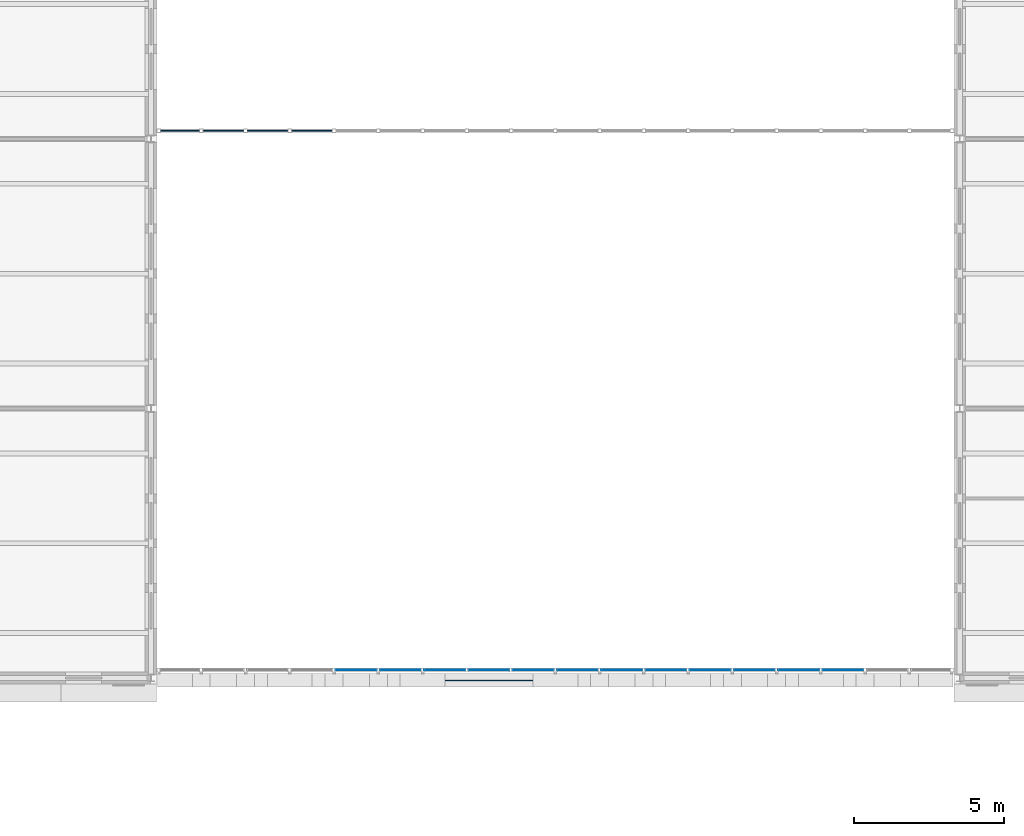
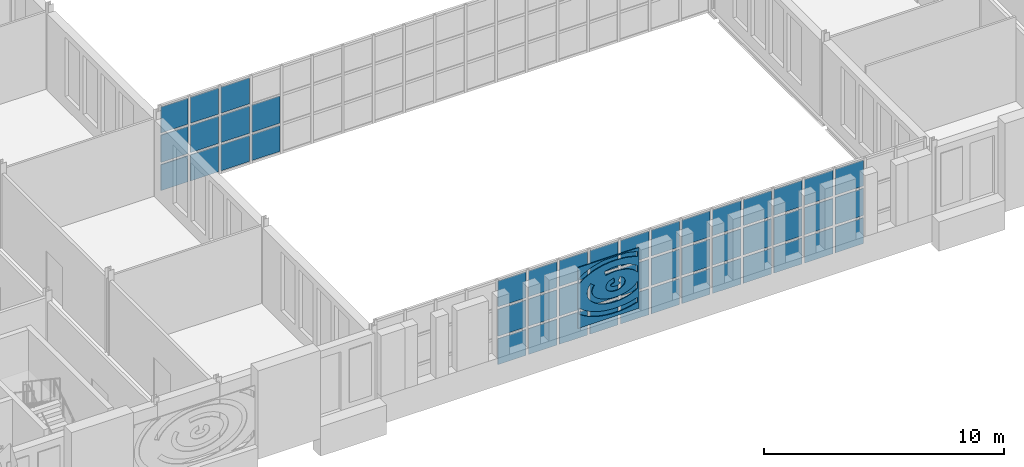
# One storey, part 61 of 131: 48 plates, 2 elements without a shape of their own.
"""IFC4 building model written with IfcOpenShell, lengths in metres."""

from ifc_helpers import new_model, si_unit, direction, frame, origin, origin_2d, place, context, subcontext, project, spatial, polyline, rectangle, outline, extrude, material, layer, layer_set, type_object, element, aggregate, save


model = new_model("IFC4")

# Units and contexts
model_context = context("Model", 3, precision=1e-05, world=origin(), true_north=direction((0.0, 1.0)))
body_context = subcontext(model_context, "Body", "Model", "MODEL_VIEW")
ifc_project = project(units=[si_unit("LENGTHUNIT", "METRE"), si_unit("AREAUNIT", "SQUARE_METRE"), si_unit("VOLUMEUNIT", "CUBIC_METRE"), si_unit("PLANEANGLEUNIT", "RADIAN"), si_unit("MASSUNIT", "GRAM", prefix="KILO")], contexts=[model_context])

# Site, building, storey
site_placement = place(None, origin())
site = spatial("IfcSite", under=ifc_project, at=site_placement, CompositionType="ELEMENT")
building_placement = place(site_placement, origin())
building = spatial("IfcBuilding", under=site, at=building_placement, Name="Golden Quay Civic Hall", CompositionType="ELEMENT")
storey_placement = place(building_placement, frame((0.0, 0.0, 9.89990234375)))
storey = spatial("IfcBuildingStorey", under=building, at=storey_placement, Name="L02", CompositionType="ELEMENT", Elevation=9.89990234375)

# Curtain wall, plates
ifc_material_1 = material(Name="Fire-resisting glass and steel", Category="steel")
curtain_wall_type_1 = type_object("IfcCurtainWallType", Name="Fire-resisting glazed curtain wall EI 120", PredefinedType="NOTDEFINED", material=ifc_material_1)
curtain_wall_1_placement = place(storey_placement, origin())
curtain_wall_1 = element("IfcCurtainWall", 1, at=curtain_wall_1_placement, inside=storey, type_object=curtain_wall_type_1, Name="CW3 curtain wall", PredefinedType="NOTDEFINED")
ifc_material_2 = material(Name="Fire-resisting laminated glass", Category="glass")
ifc_layer_1 = layer(ifc_material_2, 0.0400390625)
ifc_layer_set_1 = layer_set([ifc_layer_1], Name="Fire-resisting glazed panel 40")
plate_type_1 = type_object("IfcPlateType", Name="Fire-resisting glazed panel 40", PredefinedType="CURTAIN_PANEL", material=ifc_layer_set_1)
plate_1_placement = place(storey_placement, frame((72.968994140625, 18.27001953125, -0.080078125), z_axis=(0.0, 0.0, 1.0), x_axis=(1.0, 0.0, 0.0)))
plate_1 = element("IfcPlate", 2, at=plate_1_placement, type_object=plate_type_1, Name="CW3 panel 1.1", PredefinedType="CURTAIN_PANEL", context=body_context, shape_type="SweptSolid", body=[
    extrude(rectangle(XDim=1.2978515625, YDim=0.0400390625, at=origin_2d()), origin(), (0.0, 0.0, 1.0), 1.320068359375),
])
plate_2_placement = place(storey_placement, frame((72.968994140625, 18.27001953125, 1.360107421875), z_axis=(0.0, 0.0, 1.0), x_axis=(1.0, 0.0, 0.0)))
plate_2 = element("IfcPlate", 3, at=plate_2_placement, type_object=plate_type_1, Name="CW3 panel 1.2", PredefinedType="CURTAIN_PANEL", context=body_context, shape_type="SweptSolid", body=[
    extrude(rectangle(XDim=1.2978515625, YDim=0.0400390625, at=origin_2d()), origin(), (0.0, 0.0, 1.0), 1.3798828125),
])
plate_3_placement = place(storey_placement, frame((72.968994140625, 18.27001953125, 2.85986328125), z_axis=(0.0, 0.0, 1.0), x_axis=(1.0, 0.0, 0.0)))
plate_3 = element("IfcPlate", 4, at=plate_3_placement, type_object=plate_type_1, Name="CW3 panel 1.3", PredefinedType="CURTAIN_PANEL", context=body_context, shape_type="SweptSolid", body=[
    extrude(rectangle(XDim=1.2978515625, YDim=0.0400390625, at=origin_2d()), origin(), (0.0, 0.0, 1.0), 1.320068359375),
])
plate_4_placement = place(storey_placement, frame((74.416748046875, 18.27001953125, -0.080078125), z_axis=(0.0, 0.0, 1.0), x_axis=(1.0, 0.0, 0.0)))
plate_4 = element("IfcPlate", 5, at=plate_4_placement, type_object=plate_type_1, Name="CW3 panel 2.1", PredefinedType="CURTAIN_PANEL", context=body_context, shape_type="SweptSolid", body=[
    extrude(rectangle(XDim=1.357666015625, YDim=0.0400390625, at=origin_2d()), origin(), (0.0, 0.0, 1.0), 1.320068359375),
])
plate_5_placement = place(storey_placement, frame((74.416748046875, 18.27001953125, 1.360107421875), z_axis=(0.0, 0.0, 1.0), x_axis=(1.0, 0.0, 0.0)))
plate_5 = element("IfcPlate", 6, at=plate_5_placement, type_object=plate_type_1, Name="CW3 panel 2.2", PredefinedType="CURTAIN_PANEL", context=body_context, shape_type="SweptSolid", body=[
    extrude(rectangle(XDim=1.357666015625, YDim=0.0400390625, at=origin_2d()), origin(), (0.0, 0.0, 1.0), 1.3798828125),
])
plate_6_placement = place(storey_placement, frame((74.416748046875, 18.27001953125, 2.85986328125), z_axis=(0.0, 0.0, 1.0), x_axis=(1.0, 0.0, 0.0)))
plate_6 = element("IfcPlate", 7, at=plate_6_placement, type_object=plate_type_1, Name="CW3 panel 2.3", PredefinedType="CURTAIN_PANEL", context=body_context, shape_type="SweptSolid", body=[
    extrude(rectangle(XDim=1.357666015625, YDim=0.0400390625, at=origin_2d()), origin(), (0.0, 0.0, 1.0), 1.320068359375),
])
plate_7_placement = place(storey_placement, frame((75.89453125, 18.27001953125, -0.080078125), z_axis=(0.0, 0.0, 1.0), x_axis=(1.0, 0.0, 0.0)))
plate_7 = element("IfcPlate", 8, at=plate_7_placement, type_object=plate_type_1, Name="CW3 panel 3.1", PredefinedType="CURTAIN_PANEL", context=body_context, shape_type="SweptSolid", body=[
    extrude(rectangle(XDim=1.357666015625, YDim=0.0400390625, at=origin_2d()), origin(), (0.0, 0.0, 1.0), 1.320068359375),
])
plate_8_placement = place(storey_placement, frame((75.89453125, 18.27001953125, 1.360107421875), z_axis=(0.0, 0.0, 1.0), x_axis=(1.0, 0.0, 0.0)))
plate_8 = element("IfcPlate", 9, at=plate_8_placement, type_object=plate_type_1, Name="CW3 panel 3.2", PredefinedType="CURTAIN_PANEL", context=body_context, shape_type="SweptSolid", body=[
    extrude(rectangle(XDim=1.357666015625, YDim=0.0400390625, at=origin_2d()), origin(), (0.0, 0.0, 1.0), 1.3798828125),
])
plate_9_placement = place(storey_placement, frame((75.89453125, 18.27001953125, 2.85986328125), z_axis=(0.0, 0.0, 1.0), x_axis=(1.0, 0.0, 0.0)))
plate_9 = element("IfcPlate", 10, at=plate_9_placement, type_object=plate_type_1, Name="CW3 panel 3.3", PredefinedType="CURTAIN_PANEL", context=body_context, shape_type="SweptSolid", body=[
    extrude(rectangle(XDim=1.357666015625, YDim=0.0400390625, at=origin_2d()), origin(), (0.0, 0.0, 1.0), 1.320068359375),
])
plate_10_placement = place(storey_placement, frame((77.372314453125, 18.27001953125, -0.080078125), z_axis=(0.0, 0.0, 1.0), x_axis=(1.0, 0.0, 0.0)))
plate_10 = element("IfcPlate", 11, at=plate_10_placement, type_object=plate_type_1, Name="CW3 panel 4.1", PredefinedType="CURTAIN_PANEL", context=body_context, shape_type="SweptSolid", body=[
    extrude(rectangle(XDim=1.357666015625, YDim=0.0400390625, at=origin_2d()), origin(), (0.0, 0.0, 1.0), 1.320068359375),
])
plate_11_placement = place(storey_placement, frame((77.372314453125, 18.27001953125, 1.360107421875), z_axis=(0.0, 0.0, 1.0), x_axis=(1.0, 0.0, 0.0)))
plate_11 = element("IfcPlate", 12, at=plate_11_placement, type_object=plate_type_1, Name="CW3 panel 4.2", PredefinedType="CURTAIN_PANEL", context=body_context, shape_type="SweptSolid", body=[
    extrude(rectangle(XDim=1.357666015625, YDim=0.0400390625, at=origin_2d()), origin(), (0.0, 0.0, 1.0), 1.3798828125),
])
aggregate(curtain_wall_1, [plate_1, plate_2, plate_3, plate_4, plate_5, plate_6, plate_7, plate_8, plate_9, plate_10, plate_11])

ifc_material_3 = material(Name="Glass and aluminium", Category="aluminium")
curtain_wall_type_2 = type_object("IfcCurtainWallType", Name="Glazed curtain wall 1500 module", PredefinedType="NOTDEFINED", material=ifc_material_3)
curtain_wall_2_placement = place(storey_placement, origin())
curtain_wall_2 = element("IfcCurtainWall", 13, at=curtain_wall_2_placement, inside=storey, type_object=curtain_wall_type_2, Name="CW1 curtain wall", PredefinedType="NOTDEFINED")
ifc_material_4 = material(Name="Laminated glass", Category="glass")
ifc_layer_2 = layer(ifc_material_4, 0.028076171875)
ifc_layer_set_2 = layer_set([ifc_layer_2], Name="Laminated glass panel 28")
plate_type_2 = type_object("IfcPlateType", Name="Laminated glass panel 28", PredefinedType="CURTAIN_PANEL", material=ifc_layer_set_2)
plate_12_placement = place(storey_placement, frame((78.85009765625, 0.27001953125, -0.080078125), z_axis=(0.0, 0.0, 1.0), x_axis=(1.0, 0.0, 0.0)))
plate_12 = element("IfcPlate", 14, at=plate_12_placement, type_object=plate_type_2, Name="CW1 panel 5.1", PredefinedType="CURTAIN_PANEL", context=body_context, shape_type="SweptSolid", body=[
    extrude(rectangle(XDim=1.357666015625, YDim=0.028076171875, at=origin_2d()), origin(), (0.0, 0.0, 1.0), 1.320068359375),
])
plate_13_placement = place(storey_placement, frame((78.85009765625, 0.27001953125, 1.360107421875), z_axis=(0.0, 0.0, 1.0), x_axis=(1.0, 0.0, 0.0)))
plate_13 = element("IfcPlate", 15, at=plate_13_placement, type_object=plate_type_2, Name="CW1 panel 5.2", PredefinedType="CURTAIN_PANEL", context=body_context, shape_type="SweptSolid", body=[
    extrude(rectangle(XDim=1.357666015625, YDim=0.028076171875, at=origin_2d()), origin(), (0.0, 0.0, 1.0), 1.3798828125),
])
plate_14_placement = place(storey_placement, frame((78.85009765625, 0.27001953125, 2.85986328125), z_axis=(0.0, 0.0, 1.0), x_axis=(1.0, 0.0, 0.0)))
plate_14 = element("IfcPlate", 16, at=plate_14_placement, type_object=plate_type_2, Name="CW1 panel 5.3", PredefinedType="CURTAIN_PANEL", context=body_context, shape_type="SweptSolid", body=[
    extrude(rectangle(XDim=1.357666015625, YDim=0.028076171875, at=origin_2d()), origin(), (0.0, 0.0, 1.0), 1.320068359375),
])
plate_15_placement = place(storey_placement, frame((80.327880859375, 0.27001953125, -0.080078125), z_axis=(0.0, 0.0, 1.0), x_axis=(1.0, 0.0, 0.0)))
plate_15 = element("IfcPlate", 17, at=plate_15_placement, type_object=plate_type_2, Name="CW1 panel 6.1", PredefinedType="CURTAIN_PANEL", context=body_context, shape_type="SweptSolid", body=[
    extrude(rectangle(XDim=1.357666015625, YDim=0.028076171875, at=origin_2d()), origin(), (0.0, 0.0, 1.0), 1.320068359375),
])
plate_16_placement = place(storey_placement, frame((80.327880859375, 0.27001953125, 1.360107421875), z_axis=(0.0, 0.0, 1.0), x_axis=(1.0, 0.0, 0.0)))
plate_16 = element("IfcPlate", 18, at=plate_16_placement, type_object=plate_type_2, Name="CW1 panel 6.2", PredefinedType="CURTAIN_PANEL", context=body_context, shape_type="SweptSolid", body=[
    extrude(rectangle(XDim=1.357666015625, YDim=0.028076171875, at=origin_2d()), origin(), (0.0, 0.0, 1.0), 1.3798828125),
])
plate_17_placement = place(storey_placement, frame((80.327880859375, 0.27001953125, 2.85986328125), z_axis=(0.0, 0.0, 1.0), x_axis=(1.0, 0.0, 0.0)))
plate_17 = element("IfcPlate", 19, at=plate_17_placement, type_object=plate_type_2, Name="CW1 panel 6.3", PredefinedType="CURTAIN_PANEL", context=body_context, shape_type="SweptSolid", body=[
    extrude(rectangle(XDim=1.357666015625, YDim=0.028076171875, at=origin_2d()), origin(), (0.0, 0.0, 1.0), 1.320068359375),
])
plate_18_placement = place(storey_placement, frame((81.8056640625, 0.27001953125, -0.080078125), z_axis=(0.0, 0.0, 1.0), x_axis=(1.0, 0.0, 0.0)))
plate_18 = element("IfcPlate", 20, at=plate_18_placement, type_object=plate_type_2, Name="CW1 panel 7.1", PredefinedType="CURTAIN_PANEL", context=body_context, shape_type="SweptSolid", body=[
    extrude(rectangle(XDim=1.357666015625, YDim=0.028076171875, at=origin_2d()), origin(), (0.0, 0.0, 1.0), 1.320068359375),
])
plate_19_placement = place(storey_placement, frame((81.8056640625, 0.27001953125, 1.360107421875), z_axis=(0.0, 0.0, 1.0), x_axis=(1.0, 0.0, 0.0)))
plate_19 = element("IfcPlate", 21, at=plate_19_placement, type_object=plate_type_2, Name="CW1 panel 7.2", PredefinedType="CURTAIN_PANEL", context=body_context, shape_type="SweptSolid", body=[
    extrude(rectangle(XDim=1.357666015625, YDim=0.028076171875, at=origin_2d()), origin(), (0.0, 0.0, 1.0), 1.3798828125),
])
plate_20_placement = place(storey_placement, frame((81.8056640625, 0.27001953125, 2.85986328125), z_axis=(0.0, 0.0, 1.0), x_axis=(1.0, 0.0, 0.0)))
plate_20 = element("IfcPlate", 22, at=plate_20_placement, type_object=plate_type_2, Name="CW1 panel 7.3", PredefinedType="CURTAIN_PANEL", context=body_context, shape_type="SweptSolid", body=[
    extrude(rectangle(XDim=1.357666015625, YDim=0.028076171875, at=origin_2d()), origin(), (0.0, 0.0, 1.0), 1.320068359375),
])
plate_21_placement = place(storey_placement, frame((83.283447265625, 0.27001953125, -0.080078125), z_axis=(0.0, 0.0, 1.0), x_axis=(1.0, 0.0, 0.0)))
plate_21 = element("IfcPlate", 23, at=plate_21_placement, type_object=plate_type_2, Name="CW1 panel 8.1", PredefinedType="CURTAIN_PANEL", context=body_context, shape_type="SweptSolid", body=[
    extrude(rectangle(XDim=1.357666015625, YDim=0.028076171875, at=origin_2d()), origin(), (0.0, 0.0, 1.0), 1.320068359375),
])
plate_22_placement = place(storey_placement, frame((83.283447265625, 0.27001953125, 1.360107421875), z_axis=(0.0, 0.0, 1.0), x_axis=(1.0, 0.0, 0.0)))
plate_22 = element("IfcPlate", 24, at=plate_22_placement, type_object=plate_type_2, Name="CW1 panel 8.2", PredefinedType="CURTAIN_PANEL", context=body_context, shape_type="SweptSolid", body=[
    extrude(rectangle(XDim=1.357666015625, YDim=0.028076171875, at=origin_2d()), origin(), (0.0, 0.0, 1.0), 1.3798828125),
])
plate_23_placement = place(storey_placement, frame((83.283447265625, 0.27001953125, 2.85986328125), z_axis=(0.0, 0.0, 1.0), x_axis=(1.0, 0.0, 0.0)))
plate_23 = element("IfcPlate", 25, at=plate_23_placement, type_object=plate_type_2, Name="CW1 panel 8.3", PredefinedType="CURTAIN_PANEL", context=body_context, shape_type="SweptSolid", body=[
    extrude(rectangle(XDim=1.357666015625, YDim=0.028076171875, at=origin_2d()), origin(), (0.0, 0.0, 1.0), 1.320068359375),
])
plate_24_placement = place(storey_placement, frame((84.76123046875, 0.27001953125, -0.080078125), z_axis=(0.0, 0.0, 1.0), x_axis=(1.0, 0.0, 0.0)))
plate_24 = element("IfcPlate", 26, at=plate_24_placement, type_object=plate_type_2, Name="CW1 panel 9.1", PredefinedType="CURTAIN_PANEL", context=body_context, shape_type="SweptSolid", body=[
    extrude(rectangle(XDim=1.357666015625, YDim=0.028076171875, at=origin_2d()), origin(), (0.0, 0.0, 1.0), 1.320068359375),
])
plate_25_placement = place(storey_placement, frame((84.76123046875, 0.27001953125, 1.360107421875), z_axis=(0.0, 0.0, 1.0), x_axis=(1.0, 0.0, 0.0)))
plate_25 = element("IfcPlate", 27, at=plate_25_placement, type_object=plate_type_2, Name="CW1 panel 9.2", PredefinedType="CURTAIN_PANEL", context=body_context, shape_type="SweptSolid", body=[
    extrude(rectangle(XDim=1.357666015625, YDim=0.028076171875, at=origin_2d()), origin(), (0.0, 0.0, 1.0), 1.3798828125),
])
plate_26_placement = place(storey_placement, frame((84.76123046875, 0.27001953125, 2.85986328125), z_axis=(0.0, 0.0, 1.0), x_axis=(1.0, 0.0, 0.0)))
plate_26 = element("IfcPlate", 28, at=plate_26_placement, type_object=plate_type_2, Name="CW1 panel 9.3", PredefinedType="CURTAIN_PANEL", context=body_context, shape_type="SweptSolid", body=[
    extrude(rectangle(XDim=1.357666015625, YDim=0.028076171875, at=origin_2d()), origin(), (0.0, 0.0, 1.0), 1.320068359375),
])
plate_27_placement = place(storey_placement, frame((86.23876953125, 0.27001953125, -0.080078125), z_axis=(0.0, 0.0, 1.0), x_axis=(1.0, 0.0, 0.0)))
plate_27 = element("IfcPlate", 29, at=plate_27_placement, type_object=plate_type_2, Name="CW1 panel 10.1", PredefinedType="CURTAIN_PANEL", context=body_context, shape_type="SweptSolid", body=[
    extrude(rectangle(XDim=1.357666015625, YDim=0.028076171875, at=origin_2d()), origin(), (0.0, 0.0, 1.0), 1.320068359375),
])
plate_28_placement = place(storey_placement, frame((86.23876953125, 0.27001953125, 1.360107421875), z_axis=(0.0, 0.0, 1.0), x_axis=(1.0, 0.0, 0.0)))
plate_28 = element("IfcPlate", 30, at=plate_28_placement, type_object=plate_type_2, Name="CW1 panel 10.2", PredefinedType="CURTAIN_PANEL", context=body_context, shape_type="SweptSolid", body=[
    extrude(rectangle(XDim=1.357666015625, YDim=0.028076171875, at=origin_2d()), origin(), (0.0, 0.0, 1.0), 1.3798828125),
])
plate_29_placement = place(storey_placement, frame((86.23876953125, 0.27001953125, 2.85986328125), z_axis=(0.0, 0.0, 1.0), x_axis=(1.0, 0.0, 0.0)))
plate_29 = element("IfcPlate", 31, at=plate_29_placement, type_object=plate_type_2, Name="CW1 panel 10.3", PredefinedType="CURTAIN_PANEL", context=body_context, shape_type="SweptSolid", body=[
    extrude(rectangle(XDim=1.357666015625, YDim=0.028076171875, at=origin_2d()), origin(), (0.0, 0.0, 1.0), 1.320068359375),
])
plate_30_placement = place(storey_placement, frame((87.716552734375, 0.27001953125, -0.080078125), z_axis=(0.0, 0.0, 1.0), x_axis=(1.0, 0.0, 0.0)))
plate_30 = element("IfcPlate", 32, at=plate_30_placement, type_object=plate_type_2, Name="CW1 panel 11.1", PredefinedType="CURTAIN_PANEL", context=body_context, shape_type="SweptSolid", body=[
    extrude(rectangle(XDim=1.357666015625, YDim=0.028076171875, at=origin_2d()), origin(), (0.0, 0.0, 1.0), 1.320068359375),
])
plate_31_placement = place(storey_placement, frame((87.716552734375, 0.27001953125, 1.360107421875), z_axis=(0.0, 0.0, 1.0), x_axis=(1.0, 0.0, 0.0)))
plate_31 = element("IfcPlate", 33, at=plate_31_placement, type_object=plate_type_2, Name="CW1 panel 11.2", PredefinedType="CURTAIN_PANEL", context=body_context, shape_type="SweptSolid", body=[
    extrude(rectangle(XDim=1.357666015625, YDim=0.028076171875, at=origin_2d()), origin(), (0.0, 0.0, 1.0), 1.3798828125),
])
plate_32_placement = place(storey_placement, frame((87.716552734375, 0.27001953125, 2.85986328125), z_axis=(0.0, 0.0, 1.0), x_axis=(1.0, 0.0, 0.0)))
plate_32 = element("IfcPlate", 34, at=plate_32_placement, type_object=plate_type_2, Name="CW1 panel 11.3", PredefinedType="CURTAIN_PANEL", context=body_context, shape_type="SweptSolid", body=[
    extrude(rectangle(XDim=1.357666015625, YDim=0.028076171875, at=origin_2d()), origin(), (0.0, 0.0, 1.0), 1.320068359375),
])
plate_33_placement = place(storey_placement, frame((89.1943359375, 0.27001953125, -0.080078125), z_axis=(0.0, 0.0, 1.0), x_axis=(1.0, 0.0, 0.0)))
plate_33 = element("IfcPlate", 35, at=plate_33_placement, type_object=plate_type_2, Name="CW1 panel 12.1", PredefinedType="CURTAIN_PANEL", context=body_context, shape_type="SweptSolid", body=[
    extrude(rectangle(XDim=1.357666015625, YDim=0.028076171875, at=origin_2d()), origin(), (0.0, 0.0, 1.0), 1.320068359375),
])
plate_34_placement = place(storey_placement, frame((89.1943359375, 0.27001953125, 1.360107421875), z_axis=(0.0, 0.0, 1.0), x_axis=(1.0, 0.0, 0.0)))
plate_34 = element("IfcPlate", 36, at=plate_34_placement, type_object=plate_type_2, Name="CW1 panel 12.2", PredefinedType="CURTAIN_PANEL", context=body_context, shape_type="SweptSolid", body=[
    extrude(rectangle(XDim=1.357666015625, YDim=0.028076171875, at=origin_2d()), origin(), (0.0, 0.0, 1.0), 1.3798828125),
])
plate_35_placement = place(storey_placement, frame((89.1943359375, 0.27001953125, 2.85986328125), z_axis=(0.0, 0.0, 1.0), x_axis=(1.0, 0.0, 0.0)))
plate_35 = element("IfcPlate", 37, at=plate_35_placement, type_object=plate_type_2, Name="CW1 panel 12.3", PredefinedType="CURTAIN_PANEL", context=body_context, shape_type="SweptSolid", body=[
    extrude(rectangle(XDim=1.357666015625, YDim=0.028076171875, at=origin_2d()), origin(), (0.0, 0.0, 1.0), 1.320068359375),
])
plate_36_placement = place(storey_placement, frame((90.672119140625, 0.27001953125, -0.080078125), z_axis=(0.0, 0.0, 1.0), x_axis=(1.0, 0.0, 0.0)))
plate_36 = element("IfcPlate", 38, at=plate_36_placement, type_object=plate_type_2, Name="CW1 panel 13.1", PredefinedType="CURTAIN_PANEL", context=body_context, shape_type="SweptSolid", body=[
    extrude(rectangle(XDim=1.357666015625, YDim=0.028076171875, at=origin_2d()), origin(), (0.0, 0.0, 1.0), 1.320068359375),
])
plate_37_placement = place(storey_placement, frame((90.672119140625, 0.27001953125, 1.360107421875), z_axis=(0.0, 0.0, 1.0), x_axis=(1.0, 0.0, 0.0)))
plate_37 = element("IfcPlate", 39, at=plate_37_placement, type_object=plate_type_2, Name="CW1 panel 13.2", PredefinedType="CURTAIN_PANEL", context=body_context, shape_type="SweptSolid", body=[
    extrude(rectangle(XDim=1.357666015625, YDim=0.028076171875, at=origin_2d()), origin(), (0.0, 0.0, 1.0), 1.3798828125),
])
plate_38_placement = place(storey_placement, frame((90.672119140625, 0.27001953125, 2.85986328125), z_axis=(0.0, 0.0, 1.0), x_axis=(1.0, 0.0, 0.0)))
plate_38 = element("IfcPlate", 40, at=plate_38_placement, type_object=plate_type_2, Name="CW1 panel 13.3", PredefinedType="CURTAIN_PANEL", context=body_context, shape_type="SweptSolid", body=[
    extrude(rectangle(XDim=1.357666015625, YDim=0.028076171875, at=origin_2d()), origin(), (0.0, 0.0, 1.0), 1.320068359375),
])
plate_39_placement = place(storey_placement, frame((92.14990234375, 0.27001953125, -0.080078125), z_axis=(0.0, 0.0, 1.0), x_axis=(1.0, 0.0, 0.0)))
plate_39 = element("IfcPlate", 41, at=plate_39_placement, type_object=plate_type_2, Name="CW1 panel 14.1", PredefinedType="CURTAIN_PANEL", context=body_context, shape_type="SweptSolid", body=[
    extrude(rectangle(XDim=1.357666015625, YDim=0.028076171875, at=origin_2d()), origin(), (0.0, 0.0, 1.0), 1.320068359375),
])
plate_40_placement = place(storey_placement, frame((92.14990234375, 0.27001953125, 1.360107421875), z_axis=(0.0, 0.0, 1.0), x_axis=(1.0, 0.0, 0.0)))
plate_40 = element("IfcPlate", 42, at=plate_40_placement, type_object=plate_type_2, Name="CW1 panel 14.2", PredefinedType="CURTAIN_PANEL", context=body_context, shape_type="SweptSolid", body=[
    extrude(rectangle(XDim=1.357666015625, YDim=0.028076171875, at=origin_2d()), origin(), (0.0, 0.0, 1.0), 1.3798828125),
])
plate_41_placement = place(storey_placement, frame((92.14990234375, 0.27001953125, 2.85986328125), z_axis=(0.0, 0.0, 1.0), x_axis=(1.0, 0.0, 0.0)))
plate_41 = element("IfcPlate", 43, at=plate_41_placement, type_object=plate_type_2, Name="CW1 panel 14.3", PredefinedType="CURTAIN_PANEL", context=body_context, shape_type="SweptSolid", body=[
    extrude(rectangle(XDim=1.357666015625, YDim=0.028076171875, at=origin_2d()), origin(), (0.0, 0.0, 1.0), 1.320068359375),
])
plate_42_placement = place(storey_placement, frame((93.627685546875, 0.27001953125, -0.080078125), z_axis=(0.0, 0.0, 1.0), x_axis=(1.0, 0.0, 0.0)))
plate_42 = element("IfcPlate", 44, at=plate_42_placement, type_object=plate_type_2, Name="CW1 panel 15.1", PredefinedType="CURTAIN_PANEL", context=body_context, shape_type="SweptSolid", body=[
    extrude(rectangle(XDim=1.357666015625, YDim=0.028076171875, at=origin_2d()), origin(), (0.0, 0.0, 1.0), 1.320068359375),
])
plate_43_placement = place(storey_placement, frame((93.627685546875, 0.27001953125, 1.360107421875), z_axis=(0.0, 0.0, 1.0), x_axis=(1.0, 0.0, 0.0)))
plate_43 = element("IfcPlate", 45, at=plate_43_placement, type_object=plate_type_2, Name="CW1 panel 15.2", PredefinedType="CURTAIN_PANEL", context=body_context, shape_type="SweptSolid", body=[
    extrude(rectangle(XDim=1.357666015625, YDim=0.028076171875, at=origin_2d()), origin(), (0.0, 0.0, 1.0), 1.3798828125),
])
plate_44_placement = place(storey_placement, frame((93.627685546875, 0.27001953125, 2.85986328125), z_axis=(0.0, 0.0, 1.0), x_axis=(1.0, 0.0, 0.0)))
plate_44 = element("IfcPlate", 46, at=plate_44_placement, type_object=plate_type_2, Name="CW1 panel 15.3", PredefinedType="CURTAIN_PANEL", context=body_context, shape_type="SweptSolid", body=[
    extrude(rectangle(XDim=1.357666015625, YDim=0.028076171875, at=origin_2d()), origin(), (0.0, 0.0, 1.0), 1.320068359375),
])
plate_45_placement = place(storey_placement, frame((95.10546875, 0.27001953125, -0.080078125), z_axis=(0.0, 0.0, 1.0), x_axis=(1.0, 0.0, 0.0)))
plate_45 = element("IfcPlate", 47, at=plate_45_placement, type_object=plate_type_2, Name="CW1 panel 16.1", PredefinedType="CURTAIN_PANEL", context=body_context, shape_type="SweptSolid", body=[
    extrude(rectangle(XDim=1.357666015625, YDim=0.028076171875, at=origin_2d()), origin(), (0.0, 0.0, 1.0), 1.320068359375),
])
plate_46_placement = place(storey_placement, frame((95.10546875, 0.27001953125, 1.360107421875), z_axis=(0.0, 0.0, 1.0), x_axis=(1.0, 0.0, 0.0)))
plate_46 = element("IfcPlate", 48, at=plate_46_placement, type_object=plate_type_2, Name="CW1 panel 16.2", PredefinedType="CURTAIN_PANEL", context=body_context, shape_type="SweptSolid", body=[
    extrude(rectangle(XDim=1.357666015625, YDim=0.028076171875, at=origin_2d()), origin(), (0.0, 0.0, 1.0), 1.3798828125),
])
plate_47_placement = place(storey_placement, frame((95.10546875, 0.27001953125, 2.85986328125), z_axis=(0.0, 0.0, 1.0), x_axis=(1.0, 0.0, 0.0)))
plate_47 = element("IfcPlate", 49, at=plate_47_placement, type_object=plate_type_2, Name="CW1 panel 16.3", PredefinedType="CURTAIN_PANEL", context=body_context, shape_type="SweptSolid", body=[
    extrude(rectangle(XDim=1.357666015625, YDim=0.028076171875, at=origin_2d()), origin(), (0.0, 0.0, 1.0), 1.320068359375),
])
aggregate(curtain_wall_2, [plate_12, plate_13, plate_14, plate_15, plate_16, plate_17, plate_18, plate_19, plate_20, plate_21, plate_22, plate_23, plate_24, plate_25, plate_26, plate_27, plate_28, plate_29, plate_30, plate_31, plate_32, plate_33, plate_34, plate_35, plate_36, plate_37, plate_38, plate_39, plate_40, plate_41, plate_42, plate_43, plate_44, plate_45, plate_46, plate_47])

# Plate
ifc_material_5 = material(Name="Aluminium, golden anodised, perforated", Category="aluminium")
ifc_layer_3 = layer(ifc_material_5, 0.0400390625)
ifc_layer_set_3 = layer_set([ifc_layer_3], Name="Perforated panel 2933 x 3100 x 40")
plate_type_3 = type_object("IfcPlateType", Name="Perforated panel 2933 x 3100 x 40", PredefinedType="SHEET", material=ifc_layer_set_3)
plate_48_placement = place(storey_placement, frame((83.283447265625, -0.06005859375, 2.25), z_axis=(0.0, -1.0, 0.0), x_axis=(1.0, 0.0, 0.0)))
element("IfcPlate", 50, at=plate_48_placement, inside=storey, type_object=plate_type_3, Name="Hall screen panel south L02 3", PredefinedType="SHEET", context=body_context, shape_type="SweptSolid", body=[
    extrude(outline(polyline([(-1.466552734375, -1.550048828125), (1.466552734375, -1.550048828125), (1.466552734375, 1.550048828125), (-1.466552734375, 1.550048828125), (-1.466552734375, -1.550048828125)]), holes=[polyline([(0.2578125, 0.16748046875), (0.194091796875, 0.146728515625), (0.16162109375, 0.129150390625), (0.138671875, 0.111328125), (0.1259765625, 0.095947265625), (0.119873046875, 0.080078125), (0.125, 0.065185546875), (0.13720703125, 0.05029296875), (0.173583984375, 0.0234375), (0.209716796875, 0.006591796875), (0.27734375, -0.011474609375), (0.32763671875, -0.016845703125), (0.37939453125, -0.0166015625), (0.452880859375, -0.0048828125), (0.49560546875, 0.0087890625), (0.544677734375, 0.034912109375), (0.565185546875, 0.052490234375), (0.575927734375, 0.06689453125), (0.580078125, 0.07861328125), (0.57666015625, 0.091796875), (0.558837890625, 0.113525390625), (0.53466796875, 0.131591796875), (0.47705078125, 0.158203125), (0.5625, 0.38134765625), (0.632568359375, 0.350830078125), (0.6875, 0.31689453125), (0.74169921875, 0.2685546875), (0.773193359375, 0.228515625), (0.80078125, 0.17626953125), (0.815673828125, 0.123291015625), (0.81884765625, 0.064697265625), (0.8095703125, 0.009765625), (0.796875, -0.025390625), (0.77978515625, -0.05810546875), (0.759033203125, -0.088134765625), (0.735107421875, -0.115478515625), (0.70849609375, -0.140380859375), (0.65673828125, -0.17724609375), (0.580810546875, -0.214599609375), (0.544921875, -0.227294921875), (0.47705078125, -0.244384765625), (0.3916015625, -0.255126953125), (0.319091796875, -0.255859375), (0.272705078125, -0.252197265625), (0.202392578125, -0.239990234375), (0.1650390625, -0.230224609375), (0.093994140625, -0.203857421875), (0.02880859375, -0.168212890625), (-0.028076171875, -0.12255859375), (-0.061279296875, -0.085205078125), (-0.092529296875, -0.03466796875), (-0.111328125, 0.0166015625), (-0.119384765625, 0.07470703125), (-0.1142578125, 0.13037109375), (-0.096435546875, 0.186279296875), (-0.070556640625, 0.232421875), (-0.031982421875, 0.27880859375), (0.02587890625, 0.326171875), (0.066650390625, 0.350341796875), (0.135498046875, 0.380615234375), (0.2021484375, 0.39990234375), (0.280029296875, 0.412841796875), (0.310302734375, 0.17578125), (0.2578125, 0.16748046875)]), polyline([(-0.7255859375, 0.27734375), (-0.747802734375, 0.232666015625), (-0.76416015625, 0.18798828125), (-0.774658203125, 0.1435546875), (-0.77978515625, 0.09912109375), (-0.779296875, 0.054931640625), (-0.773681640625, 0.0107421875), (-0.76220703125, -0.03369140625), (-0.7451171875, -0.07861328125), (-0.72216796875, -0.123291015625), (-0.693115234375, -0.167724609375), (-0.657958984375, -0.211669921875), (-0.616455078125, -0.2548828125), (-0.569091796875, -0.296630859375), (-0.515869140625, -0.336669921875), (-0.457275390625, -0.374755859375), (-0.393310546875, -0.41015625), (-0.32470703125, -0.44287109375), (-0.251708984375, -0.472412109375), (-0.174560546875, -0.498779296875), (-0.09423828125, -0.521240234375), (-0.010986328125, -0.540283203125), (0.074462890625, -0.55517578125), (0.161865234375, -0.566162109375), (0.250244140625, -0.57275390625), (0.339599609375, -0.575439453125), (0.4287109375, -0.57373046875), (0.517333984375, -0.568115234375), (0.60498046875, -0.55810546875), (0.691162109375, -0.544189453125), (0.77490234375, -0.526123046875), (0.85595703125, -0.50439453125), (0.93359375, -0.47900390625), (1.0078125, -0.4501953125), (1.077392578125, -0.418212890625), (1.142578125, -0.38330078125), (1.20263671875, -0.345947265625), (1.257080078125, -0.306396484375), (1.305908203125, -0.264892578125), (1.3486328125, -0.221923828125), (1.38525390625, -0.17822265625), (1.406494140625, -0.1474609375), (1.406494140625, -0.492919921875), (1.339599609375, -0.541748046875), (1.265625, -0.588134765625), (1.18701171875, -0.630615234375), (1.09765625, -0.671630859375), (1.010986328125, -0.705078125), (0.9208984375, -0.734375), (0.833984375, -0.7578125), (0.732421875, -0.779541015625), (0.635009765625, -0.795166015625), (0.535888671875, -0.806396484375), (0.435791015625, -0.812744140625), (0.3408203125, -0.814453125), (0.240478515625, -0.811767578125), (0.135009765625, -0.8037109375), (0.0419921875, -0.7919921875), (-0.05517578125, -0.775146484375), (-0.150146484375, -0.753662109375), (-0.242431640625, -0.727783203125), (-0.331787109375, -0.697509765625), (-0.424072265625, -0.66015625), (-0.49951171875, -0.62451171875), (-0.576904296875, -0.581787109375), (-0.656494140625, -0.5302734375), (-0.723876953125, -0.47900390625), (-0.7783203125, -0.430908203125), (-0.833984375, -0.373291015625), (-0.88330078125, -0.3125), (-0.931884765625, -0.238037109375), (-0.966064453125, -0.169921875), (-0.988037109375, -0.11279296875), (-1.007080078125, -0.04150390625), (-1.017333984375, 0.03125), (-1.018798828125, 0.1044921875), (-1.01123046875, 0.177978515625), (-0.994873046875, 0.250244140625), (-0.964599609375, 0.3330078125), (-0.9306640625, 0.400146484375), (-0.88916015625, 0.46435546875), (-0.847900390625, 0.517333984375), (-0.659423828125, 0.370361328125), (-0.697265625, 0.322021484375), (-0.7255859375, 0.27734375)]), polyline([(1.406494140625, 0.30810546875), (1.37158203125, 0.355712890625), (1.33251953125, 0.399169921875), (1.287109375, 0.44140625), (1.236083984375, 0.482421875), (1.179443359375, 0.52099609375), (1.1171875, 0.5576171875), (1.05029296875, 0.59130859375), (0.978759765625, 0.6220703125), (0.9033203125, 0.6494140625), (0.82421875, 0.673583984375), (0.741943359375, 0.693603515625), (0.656982421875, 0.710205078125), (0.5703125, 0.722412109375), (0.482177734375, 0.730712890625), (0.393310546875, 0.735107421875), (0.303955078125, 0.73486328125), (0.215087890625, 0.730712890625), (0.126953125, 0.72216796875), (0.040283203125, 0.709716796875), (-0.04443359375, 0.693115234375), (-0.129638671875, 0.672119140625), (-0.187255859375, 0.904052734375), (-0.09326171875, 0.92724609375), (-0.002685546875, 0.94482421875), (0.101318359375, 0.9599609375), (0.20068359375, 0.96923828125), (0.301025390625, 0.973876953125), (0.39599609375, 0.97412109375), (0.49609375, 0.969482421875), (0.601318359375, 0.95947265625), (0.69384765625, 0.9462890625), (0.790283203125, 0.927734375), (0.890380859375, 0.903076171875), (0.9755859375, 0.877197265625), (1.063720703125, 0.845458984375), (1.154541015625, 0.806396484375), (1.235107421875, 0.765380859375), (1.310791015625, 0.720703125), (1.406494140625, 0.652099609375), (1.406494140625, 0.30810546875)]), polyline([(-1.406494140625, -0.522705078125), (-1.312255859375, -0.6123046875), (-1.23388671875, -0.6748046875), (-1.149169921875, -0.734375), (-1.0576171875, -0.790771484375), (-0.9599609375, -0.84375), (-0.856689453125, -0.89306640625), (-0.748291015625, -0.938232421875), (-0.635009765625, -0.979248046875), (-0.51708984375, -1.015625), (-0.39599609375, -1.047607421875), (-0.271240234375, -1.074462890625), (-0.143798828125, -1.096435546875), (-0.014404296875, -1.113525390625), (0.11669921875, -1.125244140625), (0.248779296875, -1.1318359375), (0.38134765625, -1.13330078125), (0.513671875, -1.12939453125), (0.6455078125, -1.120361328125), (0.77587890625, -1.106201171875), (0.904296875, -1.086669921875), (1.030517578125, -1.062255859375), (1.153564453125, -1.032958984375), (1.273193359375, -0.9990234375), (1.406494140625, -0.95361328125), (1.406494140625, -1.20654296875), (1.34130859375, -1.22802734375), (1.21142578125, -1.264892578125), (1.078369140625, -1.29638671875), (0.947265625, -1.32177734375), (0.80419921875, -1.343505859375), (0.664306640625, -1.358642578125), (0.52294921875, -1.368408203125), (0.381103515625, -1.372314453125), (0.243896484375, -1.370849609375), (0.102294921875, -1.364013671875), (-0.038330078125, -1.351318359375), (-0.18212890625, -1.33251953125), (-0.314453125, -1.3095703125), (-0.448974609375, -1.280517578125), (-0.580322265625, -1.24609375), (-0.71337890625, -1.204833984375), (-0.83740234375, -1.159912109375), (-0.956787109375, -1.110107421875), (-1.0712890625, -1.055419921875), (-1.180419921875, -0.995849609375), (-1.283447265625, -0.931884765625), (-1.38037109375, -0.86376953125), (-1.406494140625, -0.8427734375), (-1.406494140625, -0.522705078125)]), polyline([(1.406494140625, 1.11328125), (1.240234375, 1.1689453125), (1.119384765625, 1.20166015625), (0.995361328125, 1.2294921875), (0.86865234375, 1.252685546875), (0.739501953125, 1.2705078125), (0.608642578125, 1.283447265625), (0.476806640625, 1.291015625), (0.34423828125, 1.29345703125), (0.2119140625, 1.29052734375), (0.079833984375, 1.282470703125), (-0.05078125, 1.269287109375), (-0.1796875, 1.2509765625), (-0.306396484375, 1.227294921875), (-0.43017578125, 1.198974609375), (-0.550537109375, 1.166015625), (-0.6669921875, 1.128173828125), (-0.779052734375, 1.0859375), (-0.885986328125, 1.03955078125), (-0.98779296875, 0.9892578125), (-1.083740234375, 0.935302734375), (-1.173583984375, 0.8779296875), (-1.256591796875, 0.8173828125), (-1.332763671875, 0.75439453125), (-1.406494140625, 0.68359375), (-1.406494140625, 1.003662109375), (-1.305419921875, 1.077392578125), (-1.2041015625, 1.141845703125), (-1.0966796875, 1.2021484375), (-0.98388671875, 1.2578125), (-0.865966796875, 1.30859375), (-0.74853515625, 1.352783203125), (-0.62158203125, 1.39404296875), (-0.4912109375, 1.43017578125), (-0.352294921875, 1.4619140625), (-0.2158203125, 1.487060546875), (-0.195556640625, 1.489990234375), (0.89697265625, 1.489990234375), (1.04052734375, 1.46435546875), (1.174560546875, 1.434326171875), (1.305419921875, 1.39892578125), (1.406494140625, 1.36669921875), (1.406494140625, 1.11328125)])]), origin(), (0.0, 0.0, 1.0), 0.0400390625),
])

save(model, "model.ifc")
